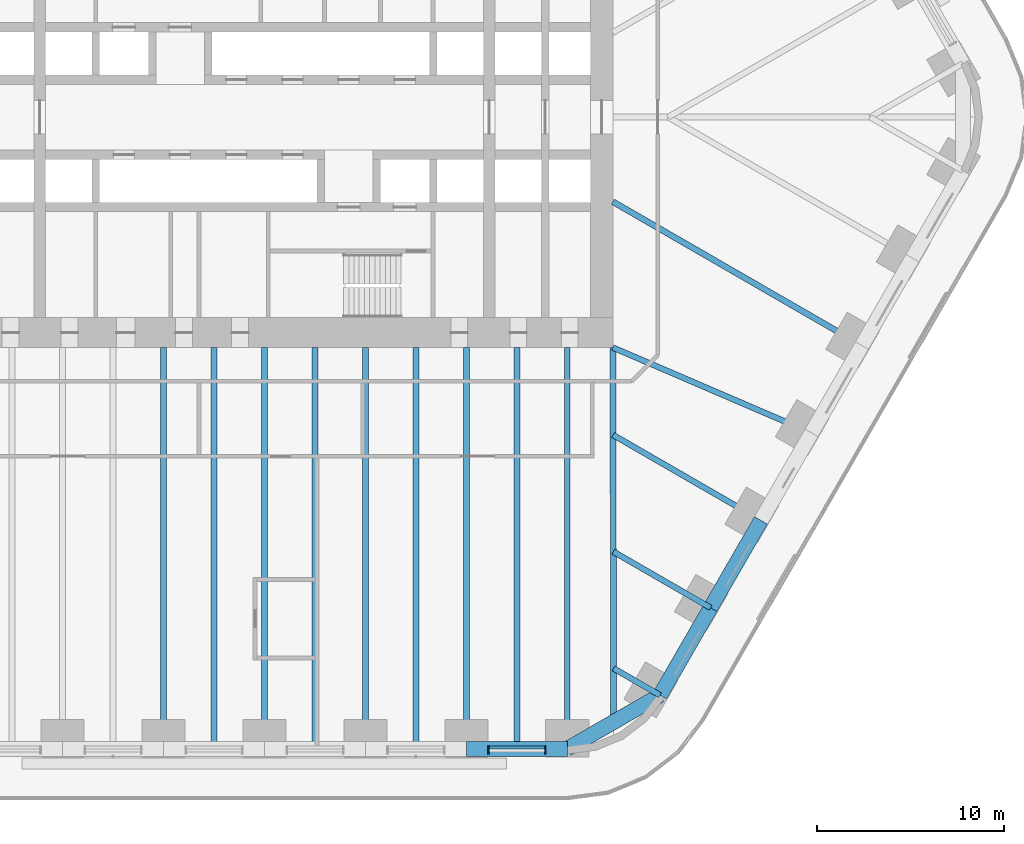
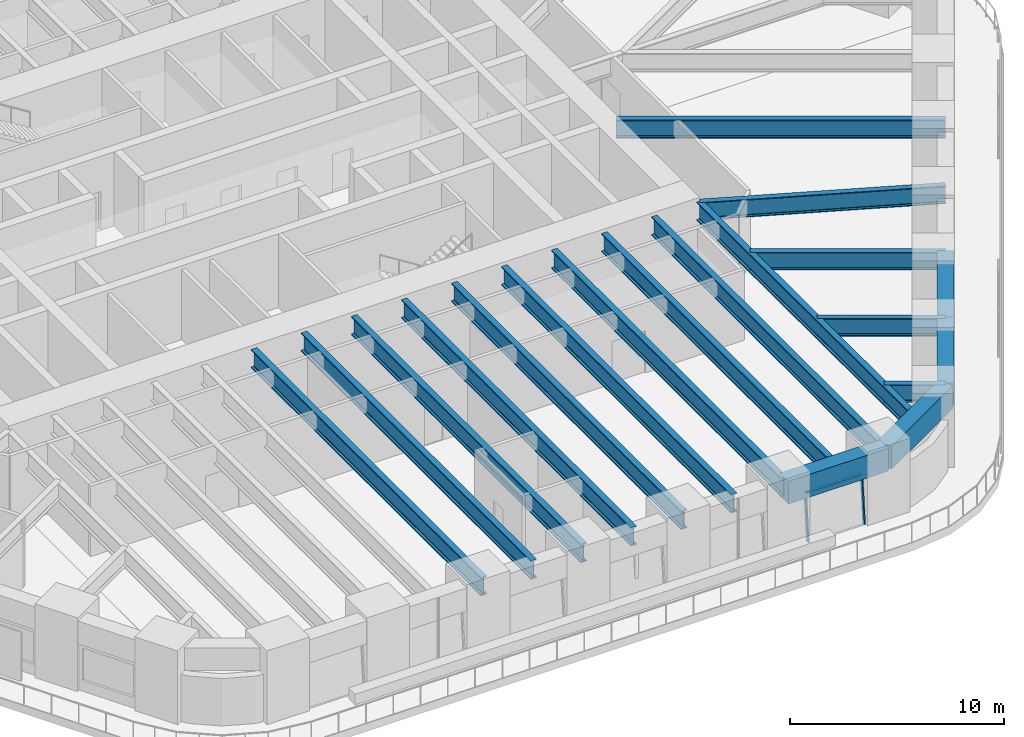
# One storey, part 5 of 23: 19 beams, 3 members, 1 element without a shape of its own.
"""IFC4 building model written with IfcOpenShell, lengths in metres."""

from ifc_helpers import new_model, si_unit, direction, frame, origin, origin_2d, place, context, subcontext, project, spatial, rectangle, i_section, extrude, material, material_profile, profile_set, type_object, element, aggregate, save


model = new_model("IFC4")

# Units and contexts
model_context = context("Model", 3, precision=1e-05, world=origin(), true_north=direction((0.0, 1.0)))
body_context = subcontext(model_context, "Body", "Model", "MODEL_VIEW")
ifc_project = project(units=[si_unit("LENGTHUNIT", "METRE"), si_unit("AREAUNIT", "SQUARE_METRE"), si_unit("VOLUMEUNIT", "CUBIC_METRE"), si_unit("PLANEANGLEUNIT", "RADIAN"), si_unit("MASSUNIT", "GRAM", prefix="KILO")], contexts=[model_context])

# Site, building, storey
site_placement = place(None, origin())
site = spatial("IfcSite", under=ifc_project, at=site_placement, CompositionType="ELEMENT")
building_placement = place(site_placement, origin())
building = spatial("IfcBuilding", under=site, at=building_placement, Name="Tarfa Lantern Tower", CompositionType="ELEMENT")
storey_placement = place(building_placement, frame((0.0, 0.0, 31.89990234375)))
storey = spatial("IfcBuildingStorey", under=building, at=storey_placement, Name="L06", CompositionType="ELEMENT", Elevation=31.89990234375)

# Curtain wall, members
ifc_material_1 = material(Name="Aluminium framed curtain wall", Category="aluminium")
curtain_wall_type = type_object("IfcCurtainWallType", Name="CW1 CANTED GLAZING LOW ZONE 2700", PredefinedType="USERDEFINED", material=ifc_material_1)
curtain_wall_placement = place(storey_placement, origin())
curtain_wall = element("IfcCurtainWall", 1, at=curtain_wall_placement, inside=storey, type_object=curtain_wall_type, Name="CW1 S L06", ObjectType="CURTAIN WALL", PredefinedType="USERDEFINED")
ifc_material_2 = material(Name="Aluminium mullion", Category="aluminium")
ifc_material_profile_1 = material_profile(ifc_material_2, rectangle(XDim=0.06494140625, YDim=0.199951171875, at=origin_2d()), Name="AL MULLION 65x200")
ifc_profile_set_1 = profile_set([ifc_material_profile_1], Name="Aluminium mullion")
member_type_1 = type_object("IfcMemberType", Name="CWM1 MULLION 65x200", PredefinedType="MULLION", material=ifc_profile_set_1)
member_1_placement = place(storey_placement, frame((11.959716796875, -33.89990234375, 0.0), z_axis=(0.0, 0.092191598296, 0.995741286281), x_axis=(-1.0, 0.0, 0.0)))
member_1 = element("IfcMember", 2, at=member_1_placement, type_object=member_type_1, Name="CW1 mullion 1", PredefinedType="MULLION", context=body_context, shape_type="SweptSolid", body=[
    extrude(rectangle(XDim=0.06494140625, YDim=0.199951171875, at=origin_2d()), origin(), (0.0, 0.0, 1.0), 2.711669921875),
])
member_2_placement = place(storey_placement, frame((14.9833984375, -33.89990234375, 0.0), z_axis=(0.0, 0.092191598296, 0.995741286281), x_axis=(-1.0, 0.0, 0.0)))
member_2 = element("IfcMember", 3, at=member_2_placement, type_object=member_type_1, Name="CW1 mullion 2", PredefinedType="MULLION", context=body_context, shape_type="SweptSolid", body=[
    extrude(rectangle(XDim=0.06494140625, YDim=0.199951171875, at=origin_2d()), origin(), (0.0, 0.0, 1.0), 2.711669921875),
])
ifc_material_3 = material(Name="Aluminium transom", Category="aluminium")
ifc_material_profile_2 = material_profile(ifc_material_3, rectangle(XDim=0.14990234375, YDim=0.06494140625, at=origin_2d()), Name="AL TRANSOM 150x65")
ifc_profile_set_2 = profile_set([ifc_material_profile_2], Name="Aluminium transom")
member_type_2 = type_object("IfcMemberType", Name="CWT1 TRANSOM 150x65", PredefinedType="USERDEFINED", material=ifc_profile_set_2)
member_3_placement = place(storey_placement, frame((11.9921875, -33.653076171875, 2.66748046875), z_axis=(1.0, 0.0, 0.0), x_axis=(0.0, 1.0, 0.0)))
member_3 = element("IfcMember", 4, at=member_3_placement, type_object=member_type_2, Name="CW1 transom 1.2", ObjectType="TRANSOM", PredefinedType="USERDEFINED", context=body_context, shape_type="SweptSolid", body=[
    extrude(rectangle(XDim=0.14990234375, YDim=0.06494140625, at=origin_2d()), origin(), (0.0, 0.0, 1.0), 2.958740234375),
])
aggregate(curtain_wall, [member_1, member_2, member_3])

# Beams
ifc_material_4 = material(Name="Concrete C80/95", Category="concrete")
ifc_material_profile_3 = material_profile(ifc_material_4, rectangle(XDim=0.800048828125, YDim=1.300048828125, at=origin_2d()), Name="RC 800x1300")
ifc_profile_set_3 = profile_set([ifc_material_profile_3], Name="Concrete C80/95")
beam_type_1 = type_object("IfcBeamType", Name="EB1 RC 800x1300", PredefinedType="SPANDREL", material=ifc_profile_set_3)
beam_1_placement = place(storey_placement, frame((10.777099609375, -33.719970703125, 3.35009765625), z_axis=(1.0, 0.0, 0.0), x_axis=(0.0, 1.0, 0.0)))
element("IfcBeam", 5, at=beam_1_placement, inside=storey, type_object=beam_type_1, Name="Edge beam S5", PredefinedType="SPANDREL", context=body_context, shape_type="SweptSolid", body=[
    extrude(rectangle(XDim=0.800048828125, YDim=1.300048828125, at=origin_2d()), origin(), (0.0, 0.0, 1.0), 5.388671875),
])
beam_2_placement = place(storey_placement, frame((16.165771484375, -33.719970703125, 3.35009765625), z_axis=(0.866033479681, 0.499986011877, 0.0), x_axis=(-0.499986011877, 0.866033479681, 0.0)))
element("IfcBeam", 6, at=beam_2_placement, inside=storey, type_object=beam_type_1, Name="Edge beam S6", PredefinedType="SPANDREL", context=body_context, shape_type="SweptSolid", body=[
    extrude(rectangle(XDim=0.800048828125, YDim=1.300048828125, at=origin_2d()), origin(), (0.0, 0.0, 1.0), 5.719970703125),
])
for number, where, z_axis, x_axis, name in (
    (7, (21.119384765625, -30.860107421875, 3.35009765625), (0.499998287579, 0.866026392449, 0.0), (-0.866026392449, 0.499998287579, 0.0), "Edge beam SE0"),
    (8, (23.813720703125, -26.193359375, 3.35009765625), (0.499998287579, 0.866026392449, 0.0), (-0.866026392449, 0.499998287579, 0.0), "Edge beam SE1"),
):
    element("IfcBeam", number, at=place(storey_placement, frame(where, z_axis=z_axis, x_axis=x_axis)), inside=storey, type_object=beam_type_1, Name=name, PredefinedType="SPANDREL", context=body_context, shape_type="SweptSolid", body=[
        extrude(rectangle(XDim=0.800048828125, YDim=1.300048828125, at=origin_2d()), origin(), (0.0, 0.0, 1.0), 5.388671875),
    ])
ifc_material_5 = material(Name="Steel S460M", Category="steel")
ifc_material_profile_4 = material_profile(ifc_material_5, i_section(OverallWidth=0.302001953125, OverallDepth=1.008056640625, WebThickness=0.02099609375, FlangeThickness=0.0400390625, FilletRadius=0.030029296875, at=origin_2d()), Name="UB1016x305x349")
ifc_profile_set_4 = profile_set([ifc_material_profile_4], Name="Steel S460M")
beam_type_2 = type_object("IfcBeamType", Name="UB1016x305x349", PredefinedType="BEAM", material=ifc_profile_set_4)
beam_3_placement = place(storey_placement, frame((21.119384765625, -30.860107421875, 3.49609375), z_axis=(-0.866012580594, 0.500022209759, 0.0), x_axis=(-0.500022209759, -0.866012580594, 0.0)))
element("IfcBeam", 9, at=beam_3_placement, inside=storey, type_object=beam_type_2, Name="Floor beam SE0", PredefinedType="BEAM", context=body_context, shape_type="SweptSolid", body=[
    extrude(i_section(OverallWidth=0.302001953125, OverallDepth=1.008056640625, WebThickness=0.02099609375, FlangeThickness=0.0400390625, FilletRadius=0.030029296875, at=origin_2d()), origin(), (0.0, 0.0, 1.0), 2.866943359375),
])
beam_4_placement = place(storey_placement, frame((23.813720703125, -26.193359375, 3.49609375), z_axis=(-0.866015997389, 0.500016292001, 0.0), x_axis=(-0.500016292001, -0.866015997389, 0.0)))
element("IfcBeam", 10, at=beam_4_placement, inside=storey, type_object=beam_type_2, Name="Floor beam SE1", PredefinedType="BEAM", context=body_context, shape_type="SweptSolid", body=[
    extrude(i_section(OverallWidth=0.302001953125, OverallDepth=1.008056640625, WebThickness=0.02099609375, FlangeThickness=0.0400390625, FilletRadius=0.030029296875, at=origin_2d()), origin(), (0.0, 0.0, 1.0), 5.993408203125),
])
beam_5_placement = place(storey_placement, frame((26.508056640625, -21.526611328125, 3.49609375), z_axis=(-0.866035355799, 0.49998276221, 0.0), x_axis=(-0.49998276221, -0.866035355799, 0.0)))
element("IfcBeam", 11, at=beam_5_placement, inside=storey, type_object=beam_type_2, Name="Floor beam SE2", PredefinedType="BEAM", context=body_context, shape_type="SweptSolid", body=[
    extrude(i_section(OverallWidth=0.302001953125, OverallDepth=1.008056640625, WebThickness=0.02099609375, FlangeThickness=0.0400390625, FilletRadius=0.030029296875, at=origin_2d()), origin(), (0.0, 0.0, 1.0), 9.119873046875),
])
beam_6_placement = place(storey_placement, frame((29.202392578125, -16.860107421875, 3.49609375), z_axis=(-0.918635483867, 0.395106122175, 0.0), x_axis=(-0.395106122175, -0.918635483867, 0.0)))
element("IfcBeam", 12, at=beam_6_placement, inside=storey, type_object=beam_type_2, Name="Floor beam SE3", PredefinedType="BEAM", context=body_context, shape_type="SweptSolid", body=[
    extrude(i_section(OverallWidth=0.302001953125, OverallDepth=1.008056640625, WebThickness=0.02099609375, FlangeThickness=0.0400390625, FilletRadius=0.030029296875, at=origin_2d()), origin(), (0.0, 0.0, 1.0), 11.541259765625),
])
ifc_material_profile_5 = material_profile(ifc_material_5, i_section(OverallWidth=0.314208984375, OverallDepth=1.055908203125, WebThickness=0.035888671875, FlangeThickness=0.06396484375, FilletRadius=0.030029296875, at=origin_2d()), Name="UB1016x305x584")
ifc_profile_set_5 = profile_set([ifc_material_profile_5], Name="Steel S460M")
beam_type_3 = type_object("IfcBeamType", Name="UB1016x305x584", PredefinedType="BEAM", material=ifc_profile_set_5)
beam_7_placement = place(storey_placement, frame((18.60009765625, -12.300048828125, 3.47216796875), z_axis=(0.00212508222, -0.99999774201, 0.0), x_axis=(0.99999774201, 0.00212508222, 0.0)))
element("IfcBeam", 13, at=beam_7_placement, inside=storey, type_object=beam_type_3, Name="Hip girder SE", PredefinedType="BEAM", context=body_context, shape_type="SweptSolid", body=[
    extrude(i_section(OverallWidth=0.314208984375, OverallDepth=1.055908203125, WebThickness=0.035888671875, FlangeThickness=0.06396484375, FilletRadius=0.030029296875, at=origin_2d()), origin(), (0.0, 0.0, 1.0), 19.989990234375),
])
for number, where, z_axis, x_axis, name in (
    (14, (-5.388671875, -33.719970703125, 3.47216796875), (0.0, 1.0, 0.0), (-1.0, 0.0, 0.0), "Floor beam S2"),
    (15, (0.0, -33.719970703125, 3.47216796875), (0.0, 1.0, 0.0), (-1.0, 0.0, 0.0), "Floor beam S3"),
    (16, (5.388671875, -33.719970703125, 3.47216796875), (0.0, 1.0, 0.0), (-1.0, 0.0, 0.0), "Floor beam S4"),
    (17, (10.777099609375, -33.719970703125, 3.47216796875), (0.0, 1.0, 0.0), (-1.0, 0.0, 0.0), "Floor beam S5"),
    (18, (16.165771484375, -33.719970703125, 3.47216796875), (0.0, 1.0, 0.0), (-1.0, 0.0, 0.0), "Floor beam S6"),
):
    element("IfcBeam", number, at=place(storey_placement, frame(where, z_axis=z_axis, x_axis=x_axis)), inside=storey, type_object=beam_type_3, Name=name, PredefinedType="BEAM", context=body_context, shape_type="SweptSolid", body=[
        extrude(i_section(OverallWidth=0.314208984375, OverallDepth=1.055908203125, WebThickness=0.035888671875, FlangeThickness=0.06396484375, FilletRadius=0.030029296875, at=origin_2d()), origin(), (0.0, 0.0, 1.0), 21.419921875),
    ])
beam_8_placement = place(storey_placement, frame((31.896728515625, -12.193359375, 3.47216796875), z_axis=(-0.866026971665, 0.499997284341, 0.0), x_axis=(-0.499997284341, -0.866026971665, 0.0)))
element("IfcBeam", 19, at=beam_8_placement, inside=storey, type_object=beam_type_3, Name="Floor beam SE4", PredefinedType="BEAM", context=body_context, shape_type="SweptSolid", body=[
    extrude(i_section(OverallWidth=0.314208984375, OverallDepth=1.055908203125, WebThickness=0.035888671875, FlangeThickness=0.06396484375, FilletRadius=0.030029296875, at=origin_2d()), origin(), (0.0, 0.0, 1.0), 15.353515625),
])
for number, where, z_axis, x_axis, name in (
    (20, (-2.6943359375, -33.719970703125, 3.47216796875), (0.0, 1.0, 0.0), (-1.0, 0.0, 0.0), "Floor beam S2M"),
    (21, (2.6943359375, -33.719970703125, 3.47216796875), (0.0, 1.0, 0.0), (-1.0, 0.0, 0.0), "Floor beam S3M"),
    (22, (8.0830078125, -33.719970703125, 3.47216796875), (0.0, 1.0, 0.0), (-1.0, 0.0, 0.0), "Floor beam S4M"),
    (23, (13.471435546875, -33.719970703125, 3.47216796875), (0.0, 1.0, 0.0), (-1.0, 0.0, 0.0), "Floor beam S5M"),
):
    element("IfcBeam", number, at=place(storey_placement, frame(where, z_axis=z_axis, x_axis=x_axis)), inside=storey, type_object=beam_type_3, Name=name, PredefinedType="BEAM", context=body_context, shape_type="SweptSolid", body=[
        extrude(i_section(OverallWidth=0.314208984375, OverallDepth=1.055908203125, WebThickness=0.035888671875, FlangeThickness=0.06396484375, FilletRadius=0.030029296875, at=origin_2d()), origin(), (0.0, 0.0, 1.0), 21.419921875),
    ])

save(model, "model.ifc")
